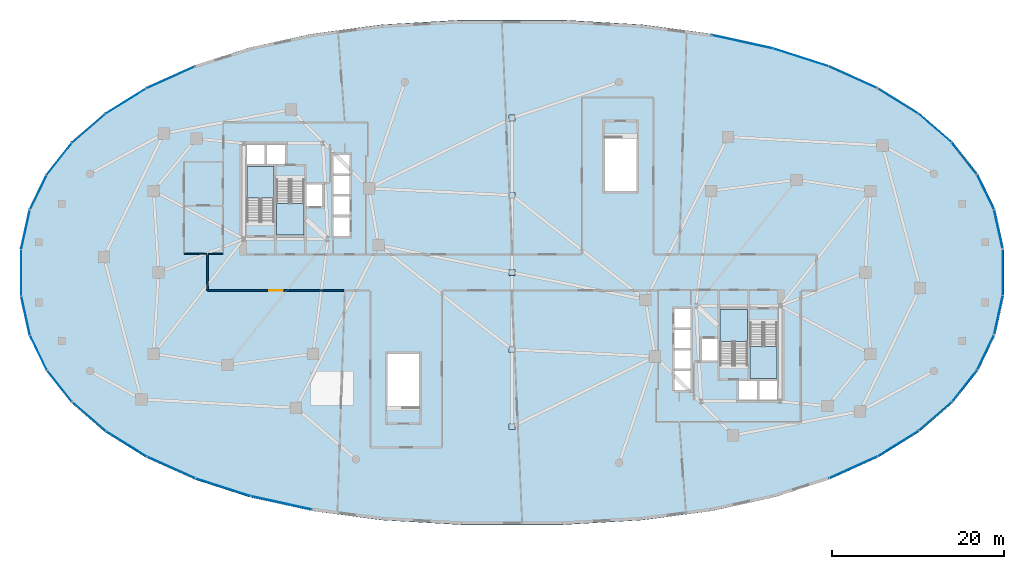
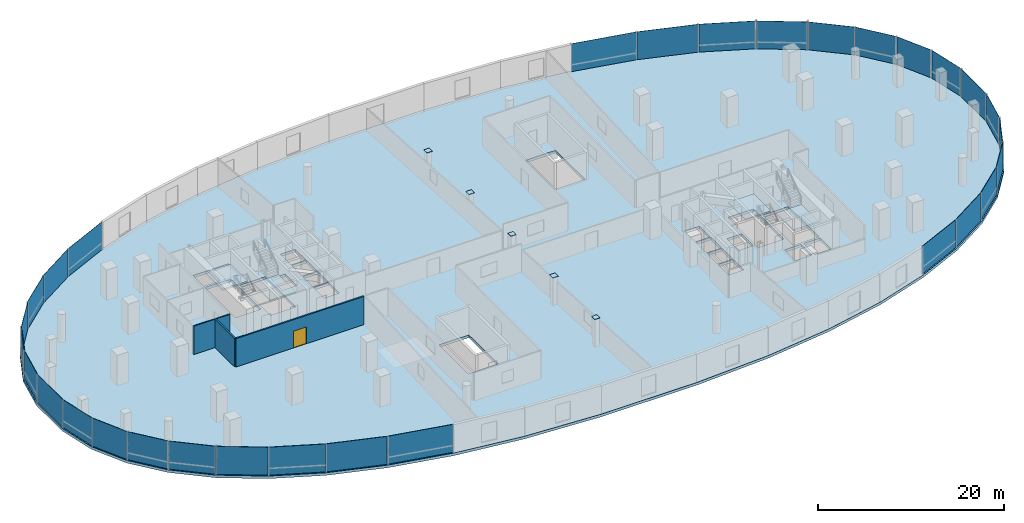
# One storey, part 11 of 18: 35 plates, 5 slabs, 4 walls, 1 door, 1 opening, 11 elements without a shape of their own.
"""IFC4 building model written with IfcOpenShell, lengths in metres."""

from ifc_helpers import new_model, si_unit, direction, frame, frame_2d, origin, origin_2d, place, context, subcontext, project, spatial, polyline, rectangle, outline, extrude, material, layer, layer_set, type_object, element, fill, aggregate, save


model = new_model("IFC4")

# Units and contexts
model_context = context("Model", 3, precision=1e-05, world=origin(), true_north=direction((0.0, 1.0)))
body_context = subcontext(model_context, "Body", "Model", "MODEL_VIEW")
ifc_project = project(units=[si_unit("LENGTHUNIT", "METRE"), si_unit("AREAUNIT", "SQUARE_METRE"), si_unit("VOLUMEUNIT", "CUBIC_METRE"), si_unit("PLANEANGLEUNIT", "RADIAN"), si_unit("MASSUNIT", "GRAM", prefix="KILO"), si_unit("THERMODYNAMICTEMPERATUREUNIT", "KELVIN"), si_unit("POWERUNIT", "WATT")], contexts=[model_context])

# Site, building, storey
site_placement = place(None, origin())
site = spatial("IfcSite", under=ifc_project, at=site_placement, CompositionType="ELEMENT")
building_placement = place(site_placement, origin())
building = spatial("IfcBuilding", under=site, at=building_placement, Name="Cundina Bronze Exchange", CompositionType="ELEMENT")
storey_placement = place(building_placement, frame((0.0, 0.0, 20.0)))
storey = spatial("IfcBuildingStorey", under=building, at=storey_placement, Name="L04", CompositionType="ELEMENT", Elevation=20.0)

# Plates
ifc_material_1 = material(Name="Steel ASTM A572 Grade 50", Category="steel")
ifc_layer_1 = layer(ifc_material_1, 0.02490234375, Name="Steel ASTM A572 Grade 50", Category="steel")
ifc_layer_set_1 = layer_set([ifc_layer_1], Name="Steel ASTM A572 Grade 50")
plate_type_1 = type_object("IfcPlateType", Name="PLT-CAP-STL25", PredefinedType="USERDEFINED", material=ifc_layer_set_1)
for number, where, z_axis, x_axis, name in (
    (1, (0.0, -18.0, 3.6826171875), (0.0, 0.0, 1.0), (1.0, 0.0, 0.0), "L04 Spine Column Cap Plate 01"),
    (2, (0.0, -9.0, 3.6826171875), (0.0, 0.0, 1.0), (1.0, 0.0, 0.0), "L04 Spine Column Cap Plate 02"),
    (3, (0.0, 0.0, 3.6826171875), (0.0, 0.0, 1.0), (1.0, 0.0, 0.0), "L04 Spine Column Cap Plate 03"),
    (4, (0.0, 9.0, 3.6826171875), (0.0, 0.0, 1.0), (1.0, 0.0, 0.0), "L04 Spine Column Cap Plate 04"),
    (5, (0.0, 18.0, 3.6826171875), (0.0, 0.0, 1.0), (1.0, 0.0, 0.0), "L04 Spine Column Cap Plate 05"),
):
    element("IfcPlate", number, at=place(storey_placement, frame(where, z_axis=z_axis, x_axis=x_axis)), inside=storey, type_object=plate_type_1, Name=name, ObjectType="STIFFENER_PLATE", PredefinedType="USERDEFINED", context=body_context, shape_type="SweptSolid", body=[
        extrude(rectangle(XDim=0.679931640625, YDim=0.679931640625, at=origin_2d()), origin(), (0.0, 0.0, 1.0), 0.02490234375),
    ])

# Curtain wall, plates
ifc_material_2 = material(Name="Anodised Bronze Aluminium 6063-T6", Category="aluminium")
curtain_wall_type = type_object("IfcCurtainWallType", Name="CWS-POD-CONC", PredefinedType="NOTDEFINED", material=ifc_material_2)
curtain_wall_1_placement = place(storey_placement, origin())
curtain_wall_1 = element("IfcCurtainWall", 6, at=curtain_wall_1_placement, inside=storey, type_object=curtain_wall_type, Name="L04 CW-01 Curtain Wall Run CWR-L04-01", PredefinedType="NOTDEFINED")
ifc_material_3 = material(Name="Heat-Strengthened Solar-Control Bronze Safety Glass 28mm", Category="glass")
ifc_layer_2 = layer(ifc_material_3, 0.033935546875, Name="Heat-Strengthened Solar-Control Bronze Safety Glass 28mm", Category="glass")
ifc_layer_set_2 = layer_set([ifc_layer_2], Name="Heat-Strengthened Solar-Control Bronze Safety Glass 28mm")
plate_type_2 = type_object("IfcPlateType", Name="PLT-GLZ-POD34", PredefinedType="CURTAIN_PANEL", material=ifc_layer_set_2)
plate_1_placement = place(storey_placement, frame((56.7294921875, 4.99951171875, 0.02001953125), z_axis=(0.0, 0.0, 1.0), x_axis=(-0.214496674701, 0.976724718916, 0.0)))
plate_1 = element("IfcPlate", 7, at=plate_1_placement, type_object=plate_type_2, Name="CW-01 Glazed Panel 1", PredefinedType="CURTAIN_PANEL", context=body_context, shape_type="SweptSolid", body=[
    extrude(rectangle(XDim=4.60009765625, YDim=0.033935546875, at=origin_2d()), origin(), (0.0, 0.0, 1.0), 3.659912109375),
])
plate_2_placement = place(storey_placement, frame((55.237548828125, 9.3232421875, 0.02001953125), z_axis=(0.0, 0.0, 1.0), x_axis=(-0.435765282624, 0.900060341566, 0.0)))
plate_2 = element("IfcPlate", 8, at=plate_2_placement, type_object=plate_type_2, Name="CW-01 Glazed Panel 2", PredefinedType="CURTAIN_PANEL", context=body_context, shape_type="SweptSolid", body=[
    extrude(rectangle(XDim=4.499755859375, YDim=0.033935546875, at=origin_2d()), origin(), (0.0, 0.0, 1.0), 3.659912109375),
])
plate_3_placement = place(storey_placement, frame((52.768798828125, 13.24462890625, 0.02001953125), z_axis=(0.0, 0.0, 1.0), x_axis=(-0.619463952441, 0.785025102545, 0.0)))
plate_3 = element("IfcPlate", 9, at=plate_3_placement, type_object=plate_type_2, Name="CW-01 Glazed Panel 3", PredefinedType="CURTAIN_PANEL", context=body_context, shape_type="SweptSolid", body=[
    extrude(rectangle(XDim=4.7060546875, YDim=0.033935546875, at=origin_2d()), origin(), (0.0, 0.0, 1.0), 3.659912109375),
])
plate_4_placement = place(storey_placement, frame((49.346923828125, 16.802490234375, 0.02001953125), z_axis=(0.0, 0.0, 1.0), x_axis=(-0.755556279398, 0.655083741717, 0.0)))
plate_4 = element("IfcPlate", 10, at=plate_4_placement, type_object=plate_type_2, Name="CW-01 Glazed Panel 4", PredefinedType="CURTAIN_PANEL", context=body_context, shape_type="SweptSolid", body=[
    extrude(rectangle(XDim=5.0849609375, YDim=0.033935546875, at=origin_2d()), origin(), (0.0, 0.0, 1.0), 3.659912109375),
])

curtain_wall_2_placement = place(storey_placement, origin())
curtain_wall_2 = element("IfcCurtainWall", 11, at=curtain_wall_2_placement, inside=storey, type_object=curtain_wall_type, Name="L04 CW-01 Curtain Wall Run CWR-L04-02", PredefinedType="NOTDEFINED")
plate_5_placement = place(storey_placement, frame((39.789794921875, 22.73876953125, 0.02001953125), z_axis=(0.0, 0.0, 1.0), x_axis=(-0.911647313688, 0.41097344859, 0.0)))
plate_5 = element("IfcPlate", 12, at=plate_5_placement, type_object=plate_type_2, Name="CW-01 Glazed Panel 1", PredefinedType="CURTAIN_PANEL", context=body_context, shape_type="SweptSolid", body=[
    extrude(rectangle(XDim=6.11962890625, YDim=0.033935546875, at=origin_2d()), origin(), (0.0, 0.0, 1.0), 3.659912109375),
])
plate_6_placement = place(storey_placement, frame((33.738037109375, 25.051513671875, 0.02001953125), z_axis=(0.0, 0.0, 1.0), x_axis=(-0.951840858876, 0.306592529873, 0.0)))
plate_6 = element("IfcPlate", 13, at=plate_6_placement, type_object=plate_type_2, Name="CW-01 Glazed Panel 2", PredefinedType="CURTAIN_PANEL", context=body_context, shape_type="SweptSolid", body=[
    extrude(rectangle(XDim=6.71044921875, YDim=0.033935546875, at=origin_2d()), origin(), (0.0, 0.0, 1.0), 3.659912109375),
])
plate_7_placement = place(storey_placement, frame((26.882568359375, 26.884765625, 0.02001953125), z_axis=(0.0, 0.0, 1.0), x_axis=(-0.9769078017, 0.213661290314, 0.0)))
plate_7 = element("IfcPlate", 14, at=plate_7_placement, type_object=plate_type_2, Name="CW-01 Glazed Panel 3", PredefinedType="CURTAIN_PANEL", context=body_context, shape_type="SweptSolid", body=[
    extrude(rectangle(XDim=7.3466796875, YDim=0.033935546875, at=origin_2d()), origin(), (0.0, 0.0, 1.0), 3.659912109375),
])
aggregate(curtain_wall_2, [plate_5, plate_6, plate_7])

curtain_wall_3_placement = place(storey_placement, origin())
curtain_wall_3 = element("IfcCurtainWall", 15, at=curtain_wall_3_placement, inside=storey, type_object=curtain_wall_type, Name="L04 CW-01 Curtain Wall Run CWR-L04-03", PredefinedType="NOTDEFINED")
plate_8_placement = place(storey_placement, frame((-39.789794921875, 22.73876953125, 0.02001953125), z_axis=(0.0, 0.0, 1.0), x_axis=(-0.911647313688, -0.41097344859, 0.0)))
plate_8 = element("IfcPlate", 16, at=plate_8_placement, type_object=plate_type_2, Name="CW-01 Glazed Panel 1", PredefinedType="CURTAIN_PANEL", context=body_context, shape_type="SweptSolid", body=[
    extrude(rectangle(XDim=6.11962890625, YDim=0.033935546875, at=origin_2d()), origin(), (0.0, 0.0, 1.0), 3.659912109375),
])
plate_9_placement = place(storey_placement, frame((-45.007080078125, 19.977783203125, 0.02001953125), z_axis=(0.0, 0.0, 1.0), x_axis=(-0.849294333819, -0.527919628867, 0.0)))
plate_9 = element("IfcPlate", 17, at=plate_9_placement, type_object=plate_type_2, Name="CW-01 Glazed Panel 2", PredefinedType="CURTAIN_PANEL", context=body_context, shape_type="SweptSolid", body=[
    extrude(rectangle(XDim=5.570068359375, YDim=0.033935546875, at=origin_2d()), origin(), (0.0, 0.0, 1.0), 3.659912109375),
])
plate_10_placement = place(storey_placement, frame((-52.768798828125, 13.24462890625, 0.02001953125), z_axis=(0.0, 0.0, 1.0), x_axis=(-0.619463952441, -0.785025102545, 0.0)))
plate_10 = element("IfcPlate", 18, at=plate_10_placement, type_object=plate_type_2, Name="CW-01 Glazed Panel 4", PredefinedType="CURTAIN_PANEL", context=body_context, shape_type="SweptSolid", body=[
    extrude(rectangle(XDim=4.7060546875, YDim=0.033935546875, at=origin_2d()), origin(), (0.0, 0.0, 1.0), 3.659912109375),
])
plate_11_placement = place(storey_placement, frame((-55.237548828125, 9.3232421875, 0.02001953125), z_axis=(0.0, 0.0, 1.0), x_axis=(-0.435765282624, -0.900060341566, 0.0)))
plate_11 = element("IfcPlate", 19, at=plate_11_placement, type_object=plate_type_2, Name="CW-01 Glazed Panel 5", PredefinedType="CURTAIN_PANEL", context=body_context, shape_type="SweptSolid", body=[
    extrude(rectangle(XDim=4.499755859375, YDim=0.033935546875, at=origin_2d()), origin(), (0.0, 0.0, 1.0), 3.659912109375),
])

curtain_wall_4_placement = place(storey_placement, origin())
curtain_wall_4 = element("IfcCurtainWall", 20, at=curtain_wall_4_placement, inside=storey, type_object=curtain_wall_type, Name="L04 CW-01 Curtain Wall Run CWR-L04-04", PredefinedType="NOTDEFINED")
plate_12_placement = place(storey_placement, frame((-56.7294921875, 4.99951171875, 0.02001953125), z_axis=(0.0, 0.0, 1.0), x_axis=(-0.214496674701, -0.976724718916, 0.0)))
plate_12 = element("IfcPlate", 21, at=plate_12_placement, type_object=plate_type_2, Name="CW-01 Glazed Panel 1", PredefinedType="CURTAIN_PANEL", context=body_context, shape_type="SweptSolid", body=[
    extrude(rectangle(XDim=4.60009765625, YDim=0.033935546875, at=origin_2d()), origin(), (0.0, 0.0, 1.0), 3.659912109375),
])
plate_13_placement = place(storey_placement, frame((-56.7294921875, -4.99951171875, 0.02001953125), z_axis=(0.0, 0.0, 1.0), x_axis=(0.214496674701, -0.976724718916, 0.0)))
plate_13 = element("IfcPlate", 22, at=plate_13_placement, type_object=plate_type_2, Name="CW-01 Glazed Panel 3", PredefinedType="CURTAIN_PANEL", context=body_context, shape_type="SweptSolid", body=[
    extrude(rectangle(XDim=4.60009765625, YDim=0.033935546875, at=origin_2d()), origin(), (0.0, 0.0, 1.0), 3.659912109375),
])
plate_14_placement = place(storey_placement, frame((-55.237548828125, -9.3232421875, 0.02001953125), z_axis=(0.0, 0.0, 1.0), x_axis=(0.435765282624, -0.900060341566, 0.0)))
plate_14 = element("IfcPlate", 23, at=plate_14_placement, type_object=plate_type_2, Name="CW-01 Glazed Panel 4", PredefinedType="CURTAIN_PANEL", context=body_context, shape_type="SweptSolid", body=[
    extrude(rectangle(XDim=4.499755859375, YDim=0.033935546875, at=origin_2d()), origin(), (0.0, 0.0, 1.0), 3.659912109375),
])
plate_15_placement = place(storey_placement, frame((-52.768798828125, -13.24462890625, 0.02001953125), z_axis=(0.0, 0.0, 1.0), x_axis=(0.619463952441, -0.785025102545, 0.0)))
plate_15 = element("IfcPlate", 24, at=plate_15_placement, type_object=plate_type_2, Name="CW-01 Glazed Panel 5", PredefinedType="CURTAIN_PANEL", context=body_context, shape_type="SweptSolid", body=[
    extrude(rectangle(XDim=4.7060546875, YDim=0.033935546875, at=origin_2d()), origin(), (0.0, 0.0, 1.0), 3.659912109375),
])

curtain_wall_5_placement = place(storey_placement, origin())
curtain_wall_5 = element("IfcCurtainWall", 25, at=curtain_wall_5_placement, inside=storey, type_object=curtain_wall_type, Name="L04 CW-01 Curtain Wall Run CWR-L04-05", PredefinedType="NOTDEFINED")
plate_16_placement = place(storey_placement, frame((-45.007080078125, -19.977783203125, 0.02001953125), z_axis=(0.0, 0.0, 1.0), x_axis=(0.849294333819, -0.527919628867, 0.0)))
plate_16 = element("IfcPlate", 26, at=plate_16_placement, type_object=plate_type_2, Name="CW-01 Glazed Panel 2", PredefinedType="CURTAIN_PANEL", context=body_context, shape_type="SweptSolid", body=[
    extrude(rectangle(XDim=5.570068359375, YDim=0.033935546875, at=origin_2d()), origin(), (0.0, 0.0, 1.0), 3.659912109375),
])
plate_17_placement = place(storey_placement, frame((-39.789794921875, -22.73876953125, 0.02001953125), z_axis=(0.0, 0.0, 1.0), x_axis=(0.911647313688, -0.41097344859, 0.0)))
plate_17 = element("IfcPlate", 27, at=plate_17_placement, type_object=plate_type_2, Name="CW-01 Glazed Panel 3", PredefinedType="CURTAIN_PANEL", context=body_context, shape_type="SweptSolid", body=[
    extrude(rectangle(XDim=6.11962890625, YDim=0.033935546875, at=origin_2d()), origin(), (0.0, 0.0, 1.0), 3.659912109375),
])
plate_18_placement = place(storey_placement, frame((-33.738037109375, -25.051513671875, 0.02001953125), z_axis=(0.0, 0.0, 1.0), x_axis=(0.951840858876, -0.306592529873, 0.0)))
plate_18 = element("IfcPlate", 28, at=plate_18_placement, type_object=plate_type_2, Name="CW-01 Glazed Panel 4", PredefinedType="CURTAIN_PANEL", context=body_context, shape_type="SweptSolid", body=[
    extrude(rectangle(XDim=6.71044921875, YDim=0.033935546875, at=origin_2d()), origin(), (0.0, 0.0, 1.0), 3.659912109375),
])
plate_19_placement = place(storey_placement, frame((-26.882568359375, -26.884765625, 0.02001953125), z_axis=(0.0, 0.0, 1.0), x_axis=(0.9769078017, -0.213661290314, 0.0)))
plate_19 = element("IfcPlate", 29, at=plate_19_placement, type_object=plate_type_2, Name="CW-01 Glazed Panel 5", PredefinedType="CURTAIN_PANEL", context=body_context, shape_type="SweptSolid", body=[
    extrude(rectangle(XDim=7.3466796875, YDim=0.033935546875, at=origin_2d()), origin(), (0.0, 0.0, 1.0), 3.659912109375),
])

curtain_wall_6_placement = place(storey_placement, origin())
curtain_wall_6 = element("IfcCurtainWall", 30, at=curtain_wall_6_placement, inside=storey, type_object=curtain_wall_type, Name="L04 CW-01 Curtain Wall Run CWR-L04-06", PredefinedType="NOTDEFINED")
plate_20_placement = place(storey_placement, frame((39.789794921875, -22.73876953125, 0.02001953125), z_axis=(0.0, 0.0, 1.0), x_axis=(0.911647313688, 0.41097344859, 0.0)))
plate_20 = element("IfcPlate", 31, at=plate_20_placement, type_object=plate_type_2, Name="CW-01 Glazed Panel 1", PredefinedType="CURTAIN_PANEL", context=body_context, shape_type="SweptSolid", body=[
    extrude(rectangle(XDim=6.11962890625, YDim=0.033935546875, at=origin_2d()), origin(), (0.0, 0.0, 1.0), 3.659912109375),
])
plate_21_placement = place(storey_placement, frame((45.007080078125, -19.977783203125, 0.02001953125), z_axis=(0.0, 0.0, 1.0), x_axis=(0.849294333819, 0.527919628867, 0.0)))
plate_21 = element("IfcPlate", 32, at=plate_21_placement, type_object=plate_type_2, Name="CW-01 Glazed Panel 2", PredefinedType="CURTAIN_PANEL", context=body_context, shape_type="SweptSolid", body=[
    extrude(rectangle(XDim=5.570068359375, YDim=0.033935546875, at=origin_2d()), origin(), (0.0, 0.0, 1.0), 3.659912109375),
])
plate_22_placement = place(storey_placement, frame((49.346923828125, -16.802490234375, 0.02001953125), z_axis=(0.0, 0.0, 1.0), x_axis=(0.755556279398, 0.655083741717, 0.0)))
plate_22 = element("IfcPlate", 33, at=plate_22_placement, type_object=plate_type_2, Name="CW-01 Glazed Panel 3", PredefinedType="CURTAIN_PANEL", context=body_context, shape_type="SweptSolid", body=[
    extrude(rectangle(XDim=5.0849609375, YDim=0.033935546875, at=origin_2d()), origin(), (0.0, 0.0, 1.0), 3.659912109375),
])
plate_23_placement = place(storey_placement, frame((52.768798828125, -13.24462890625, 0.02001953125), z_axis=(0.0, 0.0, 1.0), x_axis=(0.619463952441, 0.785025102545, 0.0)))
plate_23 = element("IfcPlate", 34, at=plate_23_placement, type_object=plate_type_2, Name="CW-01 Glazed Panel 4", PredefinedType="CURTAIN_PANEL", context=body_context, shape_type="SweptSolid", body=[
    extrude(rectangle(XDim=4.7060546875, YDim=0.033935546875, at=origin_2d()), origin(), (0.0, 0.0, 1.0), 3.659912109375),
])

curtain_wall_7_placement = place(storey_placement, origin())
curtain_wall_7 = element("IfcCurtainWall", 35, at=curtain_wall_7_placement, inside=storey, type_object=curtain_wall_type, Name="L04 CW-01 Curtain Wall Run CWR-L04-07", PredefinedType="NOTDEFINED")
plate_24_placement = place(storey_placement, frame((56.7294921875, -4.99951171875, 0.02001953125), z_axis=(0.0, 0.0, 1.0), x_axis=(0.214496674701, 0.976724718916, 0.0)))
plate_24 = element("IfcPlate", 36, at=plate_24_placement, type_object=plate_type_2, Name="CW-01 Glazed Panel 1", PredefinedType="CURTAIN_PANEL", context=body_context, shape_type="SweptSolid", body=[
    extrude(rectangle(XDim=4.60009765625, YDim=0.033935546875, at=origin_2d()), origin(), (0.0, 0.0, 1.0), 3.659912109375),
])
plate_25_placement = place(storey_placement, frame((57.22900390625, 0.0, 0.02001953125), z_axis=(0.0, 0.0, 1.0), x_axis=(0.0, 1.0, 0.0)))
plate_25 = element("IfcPlate", 37, at=plate_25_placement, type_object=plate_type_2, Name="CW-01 Glazed Panel 2", PredefinedType="CURTAIN_PANEL", context=body_context, shape_type="SweptSolid", body=[
    extrude(rectangle(XDim=5.389892578125, YDim=0.033935546875, at=origin_2d()), origin(), (0.0, 0.0, 1.0), 3.659912109375),
])
aggregate(curtain_wall_7, [plate_24, plate_25])

# Plate
ifc_material_4 = material(Name="Dark Bronze Spandrel Glass Panel 32mm", Category="glass")
ifc_layer_3 = layer(ifc_material_4, 0.031982421875, Name="Dark Bronze Spandrel Glass Panel 32mm", Category="glass")
ifc_layer_set_3 = layer_set([ifc_layer_3], Name="Dark Bronze Spandrel Glass Panel 32mm")
plate_type_3 = type_object("IfcPlateType", Name="PLT-SPN-BRZ32", PredefinedType="CURTAIN_PANEL", material=ifc_layer_set_3)
plate_26_placement = place(storey_placement, frame((45.007080078125, 19.977783203125, 0.02001953125), z_axis=(0.0, 0.0, 1.0), x_axis=(-0.849294333819, 0.527919628867, 0.0)))
plate_26 = element("IfcPlate", 38, at=plate_26_placement, type_object=plate_type_3, Name="CW-01 Glazed Panel 5", PredefinedType="CURTAIN_PANEL", context=body_context, shape_type="SweptSolid", body=[
    extrude(rectangle(XDim=5.570068359375, YDim=0.031982421875, at=origin_2d()), origin(), (0.0, 0.0, 1.0), 3.659912109375),
])

aggregate(curtain_wall_1, [plate_1, plate_2, plate_3, plate_4, plate_26])

plate_27_placement = place(storey_placement, frame((-49.346923828125, 16.802490234375, 0.02001953125), z_axis=(0.0, 0.0, 1.0), x_axis=(-0.755556279398, -0.655083741717, 0.0)))
plate_27 = element("IfcPlate", 39, at=plate_27_placement, type_object=plate_type_3, Name="CW-01 Glazed Panel 3", PredefinedType="CURTAIN_PANEL", context=body_context, shape_type="SweptSolid", body=[
    extrude(rectangle(XDim=5.0849609375, YDim=0.031982421875, at=origin_2d()), origin(), (0.0, 0.0, 1.0), 3.659912109375),
])

aggregate(curtain_wall_3, [plate_8, plate_9, plate_27, plate_10, plate_11])

plate_28_placement = place(storey_placement, frame((-57.22900390625, 0.0, 0.02001953125), z_axis=(0.0, 0.0, 1.0), x_axis=(0.0, -1.0, 0.0)))
plate_28 = element("IfcPlate", 40, at=plate_28_placement, type_object=plate_type_3, Name="CW-01 Glazed Panel 2", PredefinedType="CURTAIN_PANEL", context=body_context, shape_type="SweptSolid", body=[
    extrude(rectangle(XDim=5.389892578125, YDim=0.031982421875, at=origin_2d()), origin(), (0.0, 0.0, 1.0), 3.659912109375),
])

aggregate(curtain_wall_4, [plate_12, plate_28, plate_13, plate_14, plate_15])

plate_29_placement = place(storey_placement, frame((-49.346923828125, -16.802490234375, 0.02001953125), z_axis=(0.0, 0.0, 1.0), x_axis=(0.755556279398, -0.655083741717, 0.0)))
plate_29 = element("IfcPlate", 41, at=plate_29_placement, type_object=plate_type_3, Name="CW-01 Glazed Panel 1", PredefinedType="CURTAIN_PANEL", context=body_context, shape_type="SweptSolid", body=[
    extrude(rectangle(XDim=5.0849609375, YDim=0.031982421875, at=origin_2d()), origin(), (0.0, 0.0, 1.0), 3.659912109375),
])

aggregate(curtain_wall_5, [plate_29, plate_16, plate_17, plate_18, plate_19])

plate_30_placement = place(storey_placement, frame((55.237548828125, -9.3232421875, 0.02001953125), z_axis=(0.0, 0.0, 1.0), x_axis=(0.435765282624, 0.900060341566, 0.0)))
plate_30 = element("IfcPlate", 42, at=plate_30_placement, type_object=plate_type_3, Name="CW-01 Glazed Panel 5", PredefinedType="CURTAIN_PANEL", context=body_context, shape_type="SweptSolid", body=[
    extrude(rectangle(XDim=4.499755859375, YDim=0.031982421875, at=origin_2d()), origin(), (0.0, 0.0, 1.0), 3.659912109375),
])

aggregate(curtain_wall_6, [plate_20, plate_21, plate_22, plate_23, plate_30])

# Stair, slab
ifc_material_5 = material(Name="Concrete C40/50", Category="concrete")
stair_type = type_object("IfcStairType", Name="STR-POD-400", PredefinedType="HALF_TURN_STAIR", material=ifc_material_5)
stair_1_placement = place(storey_placement, origin())
stair_1 = element("IfcStair", 43, at=stair_1_placement, inside=storey, type_object=stair_type, Name="L04 Smokeproof Exit Stair W1", PredefinedType="HALF_TURN_STAIR")
ifc_layer_4 = layer(ifc_material_5, 0.199951171875, Name="Concrete C40/50", Category="concrete")
ifc_layer_set_4 = layer_set([ifc_layer_4], Name="Concrete C40/50")
slab_type_1 = type_object("IfcSlabType", Name="SLB-LND-200", PredefinedType="LANDING", material=ifc_layer_set_4)
slab_1_placement = place(storey_placement, frame((0.0, 0.0, 1.800048828125)))
slab_1 = element("IfcSlab", 44, at=slab_1_placement, type_object=slab_type_1, Name="ST-W1 landing 1", PredefinedType="LANDING", context=body_context, shape_type="SweptSolid", body=[
    extrude(outline(polyline([(-27.739990234375, 8.64990234375), (-27.739990234375, 12.35009765625), (-30.89990234375, 12.35009765625), (-30.89990234375, 8.64990234375), (-27.739990234375, 8.64990234375)])), origin(), (0.0, 0.0, 1.0), 0.199951171875),
])
aggregate(stair_1, [slab_1])

stair_2_placement = place(storey_placement, origin())
stair_2 = element("IfcStair", 45, at=stair_2_placement, inside=storey, type_object=stair_type, Name="L04 Smokeproof Exit Stair W2", PredefinedType="HALF_TURN_STAIR")
slab_2_placement = place(storey_placement, frame((0.0, 0.0, 1.800048828125)))
slab_2 = element("IfcSlab", 46, at=slab_2_placement, type_object=slab_type_1, Name="ST-W2 landing 1", PredefinedType="LANDING", context=body_context, shape_type="SweptSolid", body=[
    extrude(outline(polyline([(-27.43994140625, 8.050048828125), (-27.43994140625, 4.35009765625), (-24.280029296875, 4.35009765625), (-24.280029296875, 8.050048828125), (-27.43994140625, 8.050048828125)])), origin(), (0.0, 0.0, 1.0), 0.199951171875),
])
aggregate(stair_2, [slab_2])

stair_3_placement = place(storey_placement, origin())
stair_3 = element("IfcStair", 47, at=stair_3_placement, inside=storey, type_object=stair_type, Name="L04 Smokeproof Exit Stair E1", PredefinedType="HALF_TURN_STAIR")
slab_3_placement = place(storey_placement, frame((0.0, 0.0, 1.800048828125)))
slab_3 = element("IfcSlab", 48, at=slab_3_placement, type_object=slab_type_1, Name="ST-E1 landing 1", PredefinedType="LANDING", context=body_context, shape_type="SweptSolid", body=[
    extrude(outline(polyline([(27.739990234375, -8.64990234375), (27.739990234375, -12.35009765625), (30.89990234375, -12.35009765625), (30.89990234375, -8.64990234375), (27.739990234375, -8.64990234375)])), origin(), (0.0, 0.0, 1.0), 0.199951171875),
])
aggregate(stair_3, [slab_3])

stair_4_placement = place(storey_placement, origin())
stair_4 = element("IfcStair", 49, at=stair_4_placement, inside=storey, type_object=stair_type, Name="L04 Smokeproof Exit Stair E2", PredefinedType="HALF_TURN_STAIR")
slab_4_placement = place(storey_placement, frame((0.0, 0.0, 1.800048828125)))
slab_4 = element("IfcSlab", 50, at=slab_4_placement, type_object=slab_type_1, Name="ST-E2 landing 1", PredefinedType="LANDING", context=body_context, shape_type="SweptSolid", body=[
    extrude(outline(polyline([(27.43994140625, -8.050048828125), (27.43994140625, -4.35009765625), (24.280029296875, -4.35009765625), (24.280029296875, -8.050048828125), (27.43994140625, -8.050048828125)])), origin(), (0.0, 0.0, 1.0), 0.199951171875),
])
aggregate(stair_4, [slab_4])

# Slab
ifc_material_6 = material(Name="Concrete C50/60", Category="concrete")
ifc_layer_5 = layer(ifc_material_6, 0.35009765625, Name="Concrete C50/60", Category="concrete")
ifc_layer_set_5 = layer_set([ifc_layer_5], Name="Concrete C50/60")
slab_type_2 = type_object("IfcSlabType", Name="SLB-POD-350", PredefinedType="FLOOR", material=ifc_layer_set_5)
slab_5_placement = place(storey_placement, frame((0.0, 0.0, -0.35009765625)))
element("IfcSlab", 51, at=slab_5_placement, inside=storey, type_object=slab_type_2, Name="L04 Podium Structural Floor Slab", PredefinedType="FLOOR", context=body_context, shape_type="SweptSolid", body=[
    extrude(outline(polyline([(57.3740234375, 2.739990234375), (56.367919921875, 7.321044921875), (54.367919921875, 11.451904296875), (51.39697265625, 15.217041015625), (47.487060546875, 18.60693359375), (42.679931640625, 21.594970703125), (37.01904296875, 24.14697265625), (30.5458984375, 26.23193359375), (23.281005859375, 27.821044921875), (15.180908203125, 28.89306640625), (5.93603515625, 29.431884765625), (-5.93603515625, 29.431884765625), (-15.180908203125, 28.89306640625), (-23.281005859375, 27.821044921875), (-30.5458984375, 26.23193359375), (-37.01904296875, 24.14697265625), (-42.679931640625, 21.594970703125), (-47.487060546875, 18.60693359375), (-51.39697265625, 15.217041015625), (-54.367919921875, 11.451904296875), (-56.367919921875, 7.321044921875), (-57.3740234375, 2.739990234375), (-57.3740234375, -2.739990234375), (-56.367919921875, -7.321044921875), (-54.367919921875, -11.451904296875), (-51.39697265625, -15.217041015625), (-47.487060546875, -18.60693359375), (-42.679931640625, -21.594970703125), (-37.01904296875, -24.14697265625), (-30.5458984375, -26.23193359375), (-23.281005859375, -27.821044921875), (-15.180908203125, -28.89306640625), (-5.93603515625, -29.431884765625), (5.93603515625, -29.431884765625), (15.180908203125, -28.89306640625), (23.281005859375, -27.821044921875), (30.5458984375, -26.23193359375), (37.01904296875, -24.14697265625), (42.679931640625, -21.594970703125), (47.487060546875, -18.60693359375), (51.39697265625, -15.217041015625), (54.367919921875, -11.451904296875), (56.367919921875, -7.321044921875), (57.3740234375, -2.739990234375), (57.3740234375, 2.739990234375)]), holes=[polyline([(-27.739990234375, 5.85009765625), (-27.739990234375, 12.35009765625), (-30.89990234375, 12.35009765625), (-30.89990234375, 5.85009765625), (-27.739990234375, 5.85009765625)]), polyline([(-27.43994140625, 10.85009765625), (-27.43994140625, 4.35009765625), (-24.280029296875, 4.35009765625), (-24.280029296875, 10.85009765625), (-27.43994140625, 10.85009765625)]), polyline([(27.739990234375, -5.85009765625), (27.739990234375, -12.35009765625), (30.89990234375, -12.35009765625), (30.89990234375, -5.85009765625), (27.739990234375, -5.85009765625)]), polyline([(27.43994140625, -10.85009765625), (27.43994140625, -4.35009765625), (24.280029296875, -4.35009765625), (24.280029296875, -10.85009765625), (27.43994140625, -10.85009765625)]), polyline([(-10.820068359375, -15.75), (-10.820068359375, -9.5), (-14.52001953125, -9.5), (-14.52001953125, -15.75), (-10.820068359375, -15.75)]), polyline([(10.820068359375, 15.75), (10.820068359375, 9.5), (14.52001953125, 9.5), (14.52001953125, 15.75), (10.820068359375, 15.75)]), polyline([(-23.97998046875, 10.25), (-22.179931640625, 10.25), (-22.179931640625, 7.75), (-23.97998046875, 7.75), (-23.97998046875, 10.25)]), polyline([(-30.89990234375, 14.949951171875), (-28.85009765625, 14.949951171875), (-28.85009765625, 12.64990234375), (-30.89990234375, 12.64990234375), (-30.89990234375, 14.949951171875)]), polyline([(-28.550048828125, 14.949951171875), (-26.5, 14.949951171875), (-26.5, 12.64990234375), (-28.550048828125, 12.64990234375), (-28.550048828125, 14.949951171875)]), polyline([(-20.800048828125, 13.699951171875), (-18.949951171875, 13.699951171875), (-18.949951171875, 11.449951171875), (-20.800048828125, 11.449951171875), (-20.800048828125, 13.699951171875)]), polyline([(-20.800048828125, 11.300048828125), (-18.949951171875, 11.300048828125), (-18.949951171875, 9.050048828125), (-20.800048828125, 9.050048828125), (-20.800048828125, 11.300048828125)]), polyline([(-20.800048828125, 8.89990234375), (-18.949951171875, 8.89990234375), (-18.949951171875, 6.64990234375), (-20.800048828125, 6.64990234375), (-20.800048828125, 8.89990234375)]), polyline([(-20.800048828125, 6.5), (-18.949951171875, 6.5), (-18.949951171875, 4.25), (-20.800048828125, 4.25), (-20.800048828125, 6.5)]), polyline([(22.179931640625, -7.75), (23.97998046875, -7.75), (23.97998046875, -10.25), (22.179931640625, -10.25), (22.179931640625, -7.75)]), polyline([(28.85009765625, -12.64990234375), (30.89990234375, -12.64990234375), (30.89990234375, -14.949951171875), (28.85009765625, -14.949951171875), (28.85009765625, -12.64990234375)]), polyline([(26.5, -12.64990234375), (28.550048828125, -12.64990234375), (28.550048828125, -14.949951171875), (26.5, -14.949951171875), (26.5, -12.64990234375)]), polyline([(18.949951171875, -11.449951171875), (20.800048828125, -11.449951171875), (20.800048828125, -13.699951171875), (18.949951171875, -13.699951171875), (18.949951171875, -11.449951171875)]), polyline([(18.949951171875, -9.050048828125), (20.800048828125, -9.050048828125), (20.800048828125, -11.300048828125), (18.949951171875, -11.300048828125), (18.949951171875, -9.050048828125)]), polyline([(18.949951171875, -6.64990234375), (20.800048828125, -6.64990234375), (20.800048828125, -8.89990234375), (18.949951171875, -8.89990234375), (18.949951171875, -6.64990234375)]), polyline([(18.949951171875, -4.25), (20.800048828125, -4.25), (20.800048828125, -6.5), (18.949951171875, -6.5), (18.949951171875, -4.25)])]), origin(), (0.0, 0.0, 1.0), 0.35009765625),
])

# Wall, opening, door
ifc_material_7 = material(Name="Gypsum Fireboard Partition EI120")
ifc_layer_6 = layer(ifc_material_7, 0.179931640625, Name="Gypsum Fireboard Partition EI120")
ifc_layer_set_6 = layer_set([ifc_layer_6], Name="Gypsum Fireboard Partition EI120")
wall_type_1 = type_object("IfcWallType", Name="WL-COR-180", PredefinedType="PARTITIONING", material=ifc_layer_set_6)
wall_1_placement = place(storey_placement, frame((-35.478515625, -2.10009765625, 0.0), z_axis=(0.0, 0.0, 1.0), x_axis=(1.0, 0.0, 0.0)))
wall_1 = element("IfcWall", 52, at=wall_1_placement, inside=storey, type_object=wall_type_1, Name="L04 Interior Partition 035", PredefinedType="PARTITIONING", context=body_context, shape_type="SweptSolid", body=[
    extrude(rectangle(XDim=15.883544921875, YDim=0.179931640625, at=frame_2d((7.94189453125, 0.0))), origin(), (0.0, 0.0, 1.0), 3.699951171875),
])
opening_placement = place(wall_1_placement, frame((7.1416015625, 0.0, 0.0)))
opening = element("IfcOpeningElement", 53, at=opening_placement, cuts=wall_1, Name="Opening DO-02", PredefinedType="OPENING", context=body_context, shape_type="SweptSolid", body=[
    extrude(rectangle(XDim=1.60009765625, YDim=2.199951171875, at=frame_2d((0.800048828125, 1.10009765625))), frame((0.0, 0.099853515625, 0.0), z_axis=(0.0, -1.0, 0.0), x_axis=(1.0, 0.0, 0.0)), (0.0, 0.0, 1.0), 0.199951171875),
])
ifc_material_8 = material(Name="Solid Andean Oak Timber Grade A", Category="wood")
door_type = type_object("IfcDoorType", Name="DR-TRD-1600", OperationType="NOTDEFINED", PredefinedType="DOOR", material=ifc_material_8)
door_placement = place(opening_placement, origin())
door = element("IfcDoor", 54, at=door_placement, inside=storey, type_object=door_type, Name="L04 Interior Door 035", OperationType="SINGLE_SWING_LEFT", OverallHeight=2.199951171875, OverallWidth=1.60009765625, PredefinedType="DOOR", context=body_context, shape_type="SweptSolid", body=[
    extrude(rectangle(XDim=1.60009765625, YDim=2.199951171875, at=frame_2d((0.800048828125, 1.10009765625))), frame((0.0, 0.02490234375, 0.0), z_axis=(0.0, -1.0, 0.0), x_axis=(1.0, 0.0, 0.0)), (0.0, 0.0, 1.0), 0.050048828125),
])
fill(opening, door)

# Walls
wall_2_placement = place(storey_placement, frame((-35.52001953125, 2.05859375, 0.0), z_axis=(0.0, 0.0, 1.0), x_axis=(0.0, -1.0, 0.0)))
element("IfcWall", 55, at=wall_2_placement, inside=storey, type_object=wall_type_1, Name="L04 Interior Partition 038", PredefinedType="PARTITIONING", context=body_context, shape_type="SweptSolid", body=[
    extrude(rectangle(XDim=4.1171875, YDim=0.179931640625, at=frame_2d((2.05859375, 0.0))), origin(), (0.0, 0.0, 1.0), 3.699951171875),
])
ifc_material_9 = material(Name="Moisture-Resistant Masonry Block Grade M15", Category="masonry")
ifc_layer_7 = layer(ifc_material_9, 0.139892578125, Name="Moisture-Resistant Masonry Block Grade M15", Category="masonry")
ifc_layer_set_7 = layer_set([ifc_layer_7], Name="Moisture-Resistant Masonry Block Grade M15")
wall_type_2 = type_object("IfcWallType", Name="WL-WET-140", PredefinedType="PARTITIONING", material=ifc_layer_set_7)
wall_3_placement = place(storey_placement, frame((-38.219970703125, 2.159912109375, 0.0), z_axis=(0.0, 0.0, 1.0), x_axis=(1.0, 0.0, 0.0)))
element("IfcWall", 56, at=wall_3_placement, inside=storey, type_object=wall_type_2, Name="L04 Interior Partition 013", PredefinedType="PARTITIONING", context=body_context, shape_type="SweptSolid", body=[
    extrude(rectangle(XDim=2.614990234375, YDim=0.139892578125, at=frame_2d((1.3076171875, 0.0))), origin(), (0.0, 0.0, 1.0), 3.699951171875),
])
wall_4_placement = place(storey_placement, frame((-35.43505859375, 2.159912109375, 0.0), z_axis=(0.0, 0.0, 1.0), x_axis=(1.0, 0.0, 0.0)))
element("IfcWall", 57, at=wall_4_placement, inside=storey, type_object=wall_type_2, Name="L04 Interior Partition 014", PredefinedType="PARTITIONING", context=body_context, shape_type="SweptSolid", body=[
    extrude(rectangle(XDim=1.695068359375, YDim=0.139892578125, at=frame_2d((0.84765625, 0.0))), origin(), (0.0, 0.0, 1.0), 3.699951171875),
])

save(model, "model.ifc")
